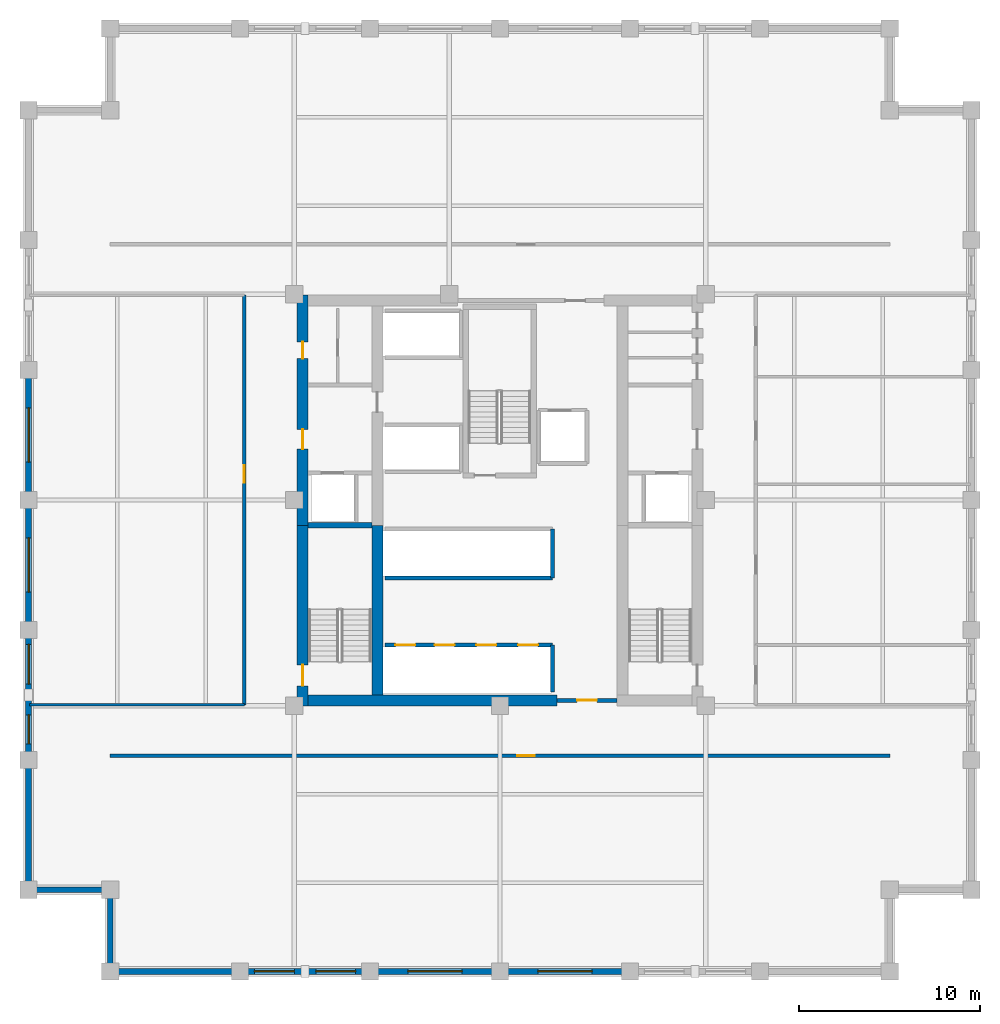
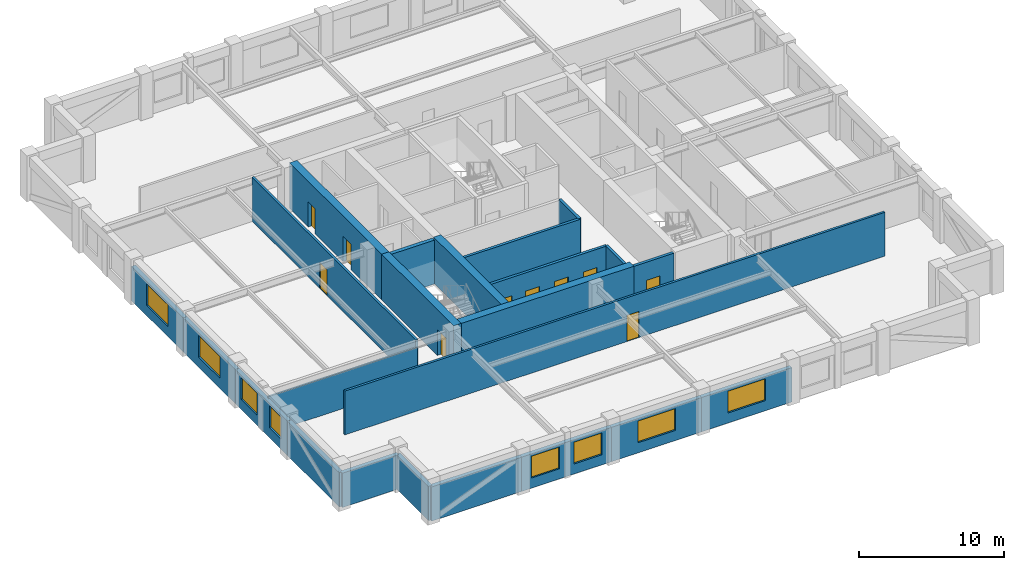
# One storey, part 2 of 6: 23 walls, 10 doors, 8 windows, 18 openings.
"""IFC4 building model written with IfcOpenShell, lengths in metres."""

from ifc_helpers import new_model, si_unit, direction, frame, frame_2d, origin, place, context, subcontext, project, spatial, rectangle, extrude, material, layer, layer_set, type_object, element, fill, save


model = new_model("IFC4")

# Units and contexts
model_context = context("Model", 3, precision=1e-05, world=origin(), true_north=direction((0.0, 1.0)))
body_context = subcontext(model_context, "Body", "Model", "MODEL_VIEW")
ifc_project = project(units=[si_unit("LENGTHUNIT", "METRE"), si_unit("AREAUNIT", "SQUARE_METRE"), si_unit("VOLUMEUNIT", "CUBIC_METRE"), si_unit("PLANEANGLEUNIT", "RADIAN"), si_unit("MASSUNIT", "GRAM", prefix="KILO")], contexts=[model_context])

# Site, building, storey
site_placement = place(None, origin())
site = spatial("IfcSite", under=ifc_project, at=site_placement, CompositionType="ELEMENT")
building_placement = place(site_placement, origin())
building = spatial("IfcBuilding", under=site, at=building_placement, Name="Nhamokura Convention Tower", CompositionType="ELEMENT")
storey_placement = place(building_placement, frame((0.0, 0.0, 152.949951171875)))
storey = spatial("IfcBuildingStorey", under=building, at=storey_placement, Name="L37", CompositionType="ELEMENT", Elevation=152.949951171875)

# Wall
ifc_material_1 = material(Name="Bronze-pigmented precast concrete C45/55", Category="concrete")
ifc_layer_1 = layer(ifc_material_1, 0.320068359375)
ifc_layer_set_1 = layer_set([ifc_layer_1], Name="BronzePrecastSpandrel_320")
wall_type_1 = type_object("IfcWallType", Name="BronzePrecastSpandrel_320", PredefinedType="USERDEFINED", material=ifc_layer_set_1)
wall_1_placement = place(storey_placement, frame((17.666748046875, 6.0, 0.0), z_axis=(0.0, 0.0, 1.0), x_axis=(-1.0, 0.0, 0.0)))
element("IfcWall", 1, at=wall_1_placement, inside=storey, type_object=wall_type_1, Name="L37 Braced-Bay Precast Wall SOUTH 0", ObjectType="SPANDREL_WALL", PredefinedType="USERDEFINED", context=body_context, shape_type="SweptSolid", body=[
    extrude(rectangle(XDim=7.166748046875, YDim=0.320068359375, at=frame_2d((3.58349609375, 0.0))), origin(), (0.0, 0.0, 1.0), 2.885009765625),
])

# Wall, openings, windows
wall_2_placement = place(storey_placement, frame((24.833251953125, 6.0, 0.0), z_axis=(0.0, 0.0, 1.0), x_axis=(-1.0, 0.0, 0.0)))
wall_2 = element("IfcWall", 2, at=wall_2_placement, inside=storey, type_object=wall_type_1, Name="L37 Masonry-Frame Wall SOUTH 1", ObjectType="SPANDREL_WALL", PredefinedType="USERDEFINED", context=body_context, shape_type="SweptSolid", body=[
    extrude(rectangle(XDim=7.16650390625, YDim=0.320068359375, at=frame_2d((3.583251953125, 0.0))), origin(), (0.0, 0.0, 1.0), 2.885009765625),
])
opening_1_placement = place(wall_2_placement, frame((0.791748046875, 0.0, 0.85009765625)))
opening_1 = element("IfcOpeningElement", 3, at=opening_1_placement, cuts=wall_2, Name="Opening W-06", PredefinedType="OPENING", context=body_context, shape_type="SweptSolid", body=[
    extrude(rectangle(XDim=2.199951171875, YDim=1.8349609375, at=frame_2d((1.10009765625, 0.91748046875))), frame((0.0, 0.169921875, 0.0), z_axis=(0.0, -1.0, 0.0), x_axis=(1.0, 0.0, 0.0)), (0.0, 0.0, 1.0), 0.340087890625),
])
opening_2_placement = place(wall_2_placement, frame((4.175048828125, 0.0, 0.85009765625)))
opening_2 = element("IfcOpeningElement", 4, at=opening_2_placement, cuts=wall_2, Name="Opening W-06", PredefinedType="OPENING", context=body_context, shape_type="SweptSolid", body=[
    extrude(rectangle(XDim=2.199951171875, YDim=1.8349609375, at=frame_2d((1.10009765625, 0.91748046875))), frame((0.0, 0.169921875, 0.0), z_axis=(0.0, -1.0, 0.0), x_axis=(1.0, 0.0, 0.0)), (0.0, 0.0, 1.0), 0.340087890625),
])
ifc_material_2 = material(Name="Solar-control bronze low-E double glass", Category="glass")
window_type_1 = type_object("IfcWindowType", Name="OfficeModuleWindow_Z2_2200", PartitioningType="SINGLE_PANEL", PredefinedType="WINDOW", material=ifc_material_2)
window_1_placement = place(opening_1_placement, origin())
window_1 = element("IfcWindow", 5, at=window_1_placement, inside=storey, type_object=window_type_1, Name="L37 Facade Window SOUTH 1-1", OverallHeight=1.8349609375, OverallWidth=2.199951171875, PartitioningType="SINGLE_PANEL", PredefinedType="WINDOW", context=body_context, shape_type="SweptSolid", body=[
    extrude(rectangle(XDim=2.199951171875, YDim=1.8349609375, at=frame_2d((1.10009765625, 0.91748046875))), frame((0.0, 0.030029296875, 0.0), z_axis=(0.0, -1.0, 0.0), x_axis=(1.0, 0.0, 0.0)), (0.0, 0.0, 1.0), 0.06005859375),
])
fill(opening_1, window_1)
window_2_placement = place(opening_2_placement, origin())
window_2 = element("IfcWindow", 6, at=window_2_placement, inside=storey, type_object=window_type_1, Name="L37 Facade Window SOUTH 1-2", OverallHeight=1.8349609375, OverallWidth=2.199951171875, PartitioningType="SINGLE_PANEL", PredefinedType="WINDOW", context=body_context, shape_type="SweptSolid", body=[
    extrude(rectangle(XDim=2.199951171875, YDim=1.8349609375, at=frame_2d((1.10009765625, 0.91748046875))), frame((0.0, 0.030029296875, 0.0), z_axis=(0.0, -1.0, 0.0), x_axis=(1.0, 0.0, 0.0)), (0.0, 0.0, 1.0), 0.06005859375),
])
fill(opening_2, window_2)

# Wall, opening, window
wall_3_placement = place(storey_placement, frame((32.0, 6.0, 0.0), z_axis=(0.0, 0.0, 1.0), x_axis=(-1.0, 0.0, 0.0)))
wall_3 = element("IfcWall", 7, at=wall_3_placement, inside=storey, type_object=wall_type_1, Name="L37 Masonry-Frame Wall SOUTH 2", ObjectType="SPANDREL_WALL", PredefinedType="USERDEFINED", context=body_context, shape_type="SweptSolid", body=[
    extrude(rectangle(XDim=7.166748046875, YDim=0.320068359375, at=frame_2d((3.58349609375, 0.0))), origin(), (0.0, 0.0, 1.0), 2.885009765625),
])
opening_3_placement = place(wall_3_placement, frame((2.083251953125, 0.0, 0.85009765625)))
opening_3 = element("IfcOpeningElement", 8, at=opening_3_placement, cuts=wall_3, Name="Opening W-05", PredefinedType="OPENING", context=body_context, shape_type="SweptSolid", body=[
    extrude(rectangle(XDim=3.0, YDim=1.8349609375, at=frame_2d((1.5, 0.91748046875))), frame((0.0, 0.169921875, 0.0), z_axis=(0.0, -1.0, 0.0), x_axis=(1.0, 0.0, 0.0)), (0.0, 0.0, 1.0), 0.340087890625),
])
ifc_material_3 = material(Name="Solar-control bronze low-E double glass", Category="glass")
window_type_2 = type_object("IfcWindowType", Name="OfficeModuleWindow_Z2_3000", PartitioningType="DOUBLE_PANEL_VERTICAL", PredefinedType="WINDOW", material=ifc_material_3)
window_3_placement = place(opening_3_placement, origin())
window_3 = element("IfcWindow", 9, at=window_3_placement, inside=storey, type_object=window_type_2, Name="L37 Facade Window SOUTH 2", OverallHeight=1.8349609375, OverallWidth=3.0, PartitioningType="SINGLE_PANEL", PredefinedType="WINDOW", context=body_context, shape_type="SweptSolid", body=[
    extrude(rectangle(XDim=3.0, YDim=1.8349609375, at=frame_2d((1.5, 0.91748046875))), frame((0.0, 0.030029296875, 0.0), z_axis=(0.0, -1.0, 0.0), x_axis=(1.0, 0.0, 0.0)), (0.0, 0.0, 1.0), 0.06005859375),
])
fill(opening_3, window_3)

wall_4_placement = place(storey_placement, frame((39.166748046875, 6.0, 0.0), z_axis=(0.0, 0.0, 1.0), x_axis=(-1.0, 0.0, 0.0)))
wall_4 = element("IfcWall", 10, at=wall_4_placement, inside=storey, type_object=wall_type_1, Name="L37 Masonry-Frame Wall SOUTH 3", ObjectType="SPANDREL_WALL", PredefinedType="USERDEFINED", context=body_context, shape_type="SweptSolid", body=[
    extrude(rectangle(XDim=7.166748046875, YDim=0.320068359375, at=frame_2d((3.58349609375, 0.0))), origin(), (0.0, 0.0, 1.0), 2.885009765625),
])
opening_4_placement = place(wall_4_placement, frame((2.083251953125, 0.0, 0.85009765625)))
opening_4 = element("IfcOpeningElement", 11, at=opening_4_placement, cuts=wall_4, Name="Opening W-05", PredefinedType="OPENING", context=body_context, shape_type="SweptSolid", body=[
    extrude(rectangle(XDim=3.0, YDim=1.8349609375, at=frame_2d((1.5, 0.91748046875))), frame((0.0, 0.169921875, 0.0), z_axis=(0.0, -1.0, 0.0), x_axis=(1.0, 0.0, 0.0)), (0.0, 0.0, 1.0), 0.340087890625),
])
window_4_placement = place(opening_4_placement, origin())
window_4 = element("IfcWindow", 12, at=window_4_placement, inside=storey, type_object=window_type_2, Name="L37 Facade Window SOUTH 3", OverallHeight=1.8349609375, OverallWidth=3.0, PartitioningType="SINGLE_PANEL", PredefinedType="WINDOW", context=body_context, shape_type="SweptSolid", body=[
    extrude(rectangle(XDim=3.0, YDim=1.8349609375, at=frame_2d((1.5, 0.91748046875))), frame((0.0, 0.030029296875, 0.0), z_axis=(0.0, -1.0, 0.0), x_axis=(1.0, 0.0, 0.0)), (0.0, 0.0, 1.0), 0.06005859375),
])
fill(opening_4, window_4)

# Wall
wall_5_placement = place(storey_placement, frame((6.0, 10.5, 0.0), z_axis=(0.0, 0.0, 1.0), x_axis=(0.0, 1.0, 0.0)))
element("IfcWall", 13, at=wall_5_placement, inside=storey, type_object=wall_type_1, Name="L37 Braced-Bay Precast Wall WEST 0", ObjectType="SPANDREL_WALL", PredefinedType="USERDEFINED", context=body_context, shape_type="SweptSolid", body=[
    extrude(rectangle(XDim=7.166748046875, YDim=0.320068359375, at=frame_2d((3.58349609375, 0.0))), origin(), (0.0, 0.0, 1.0), 2.885009765625),
])

# Wall, openings, windows
wall_6_placement = place(storey_placement, frame((6.0, 17.666748046875, 0.0), z_axis=(0.0, 0.0, 1.0), x_axis=(0.0, 1.0, 0.0)))
wall_6 = element("IfcWall", 14, at=wall_6_placement, inside=storey, type_object=wall_type_1, Name="L37 Masonry-Frame Wall WEST 1", ObjectType="SPANDREL_WALL", PredefinedType="USERDEFINED", context=body_context, shape_type="SweptSolid", body=[
    extrude(rectangle(XDim=7.16650390625, YDim=0.320068359375, at=frame_2d((3.583251953125, 0.0))), origin(), (0.0, 0.0, 1.0), 2.885009765625),
])
opening_5_placement = place(wall_6_placement, frame((0.879150390625, 0.0, 0.85009765625)))
opening_5 = element("IfcOpeningElement", 15, at=opening_5_placement, cuts=wall_6, Name="Opening W-11", PredefinedType="OPENING", context=body_context, shape_type="SweptSolid", body=[
    extrude(rectangle(XDim=1.60009765625, YDim=1.8349609375, at=frame_2d((0.800048828125, 0.91748046875))), frame((0.0, 0.169921875, 0.0), z_axis=(0.0, -1.0, 0.0), x_axis=(1.0, 0.0, 0.0)), (0.0, 0.0, 1.0), 0.340087890625),
])
opening_6_placement = place(wall_6_placement, frame((4.175048828125, 0.0, 0.85009765625)))
opening_6 = element("IfcOpeningElement", 16, at=opening_6_placement, cuts=wall_6, Name="Opening W-06", PredefinedType="OPENING", context=body_context, shape_type="SweptSolid", body=[
    extrude(rectangle(XDim=2.199951171875, YDim=1.8349609375, at=frame_2d((1.10009765625, 0.91748046875))), frame((0.0, 0.169921875, 0.0), z_axis=(0.0, -1.0, 0.0), x_axis=(1.0, 0.0, 0.0)), (0.0, 0.0, 1.0), 0.340087890625),
])
ifc_material_4 = material(Name="Solar-control bronze low-E double glass", Category="glass")
window_type_3 = type_object("IfcWindowType", Name="NotchCornerWindow_1600", PartitioningType="SINGLE_PANEL", PredefinedType="WINDOW", material=ifc_material_4)
window_5_placement = place(opening_5_placement, origin())
window_5 = element("IfcWindow", 17, at=window_5_placement, inside=storey, type_object=window_type_3, Name="L37 Facade Window WEST 1-1", OverallHeight=1.8349609375, OverallWidth=1.60009765625, PartitioningType="SINGLE_PANEL", PredefinedType="WINDOW", context=body_context, shape_type="SweptSolid", body=[
    extrude(rectangle(XDim=1.60009765625, YDim=1.8349609375, at=frame_2d((0.800048828125, 0.91748046875))), frame((0.0, 0.030029296875, 0.0), z_axis=(0.0, -1.0, 0.0), x_axis=(1.0, 0.0, 0.0)), (0.0, 0.0, 1.0), 0.06005859375),
])
fill(opening_5, window_5)
window_6_placement = place(opening_6_placement, origin())
window_6 = element("IfcWindow", 18, at=window_6_placement, inside=storey, type_object=window_type_1, Name="L37 Facade Window WEST 1-2", OverallHeight=1.8349609375, OverallWidth=2.199951171875, PartitioningType="SINGLE_PANEL", PredefinedType="WINDOW", context=body_context, shape_type="SweptSolid", body=[
    extrude(rectangle(XDim=2.199951171875, YDim=1.8349609375, at=frame_2d((1.10009765625, 0.91748046875))), frame((0.0, 0.030029296875, 0.0), z_axis=(0.0, -1.0, 0.0), x_axis=(1.0, 0.0, 0.0)), (0.0, 0.0, 1.0), 0.06005859375),
])
fill(opening_6, window_6)

# Wall, opening, window
wall_7_placement = place(storey_placement, frame((6.0, 24.833251953125, 0.0), z_axis=(0.0, 0.0, 1.0), x_axis=(0.0, 1.0, 0.0)))
wall_7 = element("IfcWall", 19, at=wall_7_placement, inside=storey, type_object=wall_type_1, Name="L37 Masonry-Frame Wall WEST 2", ObjectType="SPANDREL_WALL", PredefinedType="USERDEFINED", context=body_context, shape_type="SweptSolid", body=[
    extrude(rectangle(XDim=7.166748046875, YDim=0.320068359375, at=frame_2d((3.58349609375, 0.0))), origin(), (0.0, 0.0, 1.0), 2.885009765625),
])
opening_7_placement = place(wall_7_placement, frame((2.083251953125, 0.0, 0.85009765625)))
opening_7 = element("IfcOpeningElement", 20, at=opening_7_placement, cuts=wall_7, Name="Opening W-05", PredefinedType="OPENING", context=body_context, shape_type="SweptSolid", body=[
    extrude(rectangle(XDim=3.0, YDim=1.8349609375, at=frame_2d((1.5, 0.91748046875))), frame((0.0, 0.169921875, 0.0), z_axis=(0.0, -1.0, 0.0), x_axis=(1.0, 0.0, 0.0)), (0.0, 0.0, 1.0), 0.340087890625),
])
window_7_placement = place(opening_7_placement, origin())
window_7 = element("IfcWindow", 21, at=window_7_placement, inside=storey, type_object=window_type_2, Name="L37 Facade Window WEST 2", OverallHeight=1.8349609375, OverallWidth=3.0, PartitioningType="SINGLE_PANEL", PredefinedType="WINDOW", context=body_context, shape_type="SweptSolid", body=[
    extrude(rectangle(XDim=3.0, YDim=1.8349609375, at=frame_2d((1.5, 0.91748046875))), frame((0.0, 0.030029296875, 0.0), z_axis=(0.0, -1.0, 0.0), x_axis=(1.0, 0.0, 0.0)), (0.0, 0.0, 1.0), 0.06005859375),
])
fill(opening_7, window_7)

wall_8_placement = place(storey_placement, frame((6.0, 32.0, 0.0), z_axis=(0.0, 0.0, 1.0), x_axis=(0.0, 1.0, 0.0)))
wall_8 = element("IfcWall", 22, at=wall_8_placement, inside=storey, type_object=wall_type_1, Name="L37 Masonry-Frame Wall WEST 3", ObjectType="SPANDREL_WALL", PredefinedType="USERDEFINED", context=body_context, shape_type="SweptSolid", body=[
    extrude(rectangle(XDim=7.166748046875, YDim=0.320068359375, at=frame_2d((3.58349609375, 0.0))), origin(), (0.0, 0.0, 1.0), 2.885009765625),
])
opening_8_placement = place(wall_8_placement, frame((2.083251953125, 0.0, 0.85009765625)))
opening_8 = element("IfcOpeningElement", 23, at=opening_8_placement, cuts=wall_8, Name="Opening W-05", PredefinedType="OPENING", context=body_context, shape_type="SweptSolid", body=[
    extrude(rectangle(XDim=3.0, YDim=1.8349609375, at=frame_2d((1.5, 0.91748046875))), frame((0.0, 0.169921875, 0.0), z_axis=(0.0, -1.0, 0.0), x_axis=(1.0, 0.0, 0.0)), (0.0, 0.0, 1.0), 0.340087890625),
])
window_8_placement = place(opening_8_placement, origin())
window_8 = element("IfcWindow", 24, at=window_8_placement, inside=storey, type_object=window_type_2, Name="L37 Facade Window WEST 3", OverallHeight=1.8349609375, OverallWidth=3.0, PartitioningType="SINGLE_PANEL", PredefinedType="WINDOW", context=body_context, shape_type="SweptSolid", body=[
    extrude(rectangle(XDim=3.0, YDim=1.8349609375, at=frame_2d((1.5, 0.91748046875))), frame((0.0, 0.030029296875, 0.0), z_axis=(0.0, -1.0, 0.0), x_axis=(1.0, 0.0, 0.0)), (0.0, 0.0, 1.0), 0.06005859375),
])
fill(opening_8, window_8)

# Walls
for number, where, z_axis, x_axis, name in (
    (25, (10.5, 6.0, 0.0), (0.0, 0.0, 1.0), (0.0, 1.0, 0.0), "L37 Notched Corner Wall SW1"),
    (26, (10.5, 10.5, 0.0), (0.0, 0.0, 1.0), (-1.0, 0.0, 0.0), "L37 Notched Corner Wall SW2"),
):
    element("IfcWall", number, at=place(storey_placement, frame(where, z_axis=z_axis, x_axis=x_axis)), inside=storey, type_object=wall_type_1, Name=name, ObjectType="SPANDREL_WALL", PredefinedType="USERDEFINED", context=body_context, shape_type="SweptSolid", body=[
        extrude(rectangle(XDim=4.5, YDim=0.320068359375, at=frame_2d((2.25, 0.0))), origin(), (0.0, 0.0, 1.0), 2.885009765625),
    ])

# Wall, opening, door
ifc_material_5 = material(Name="Concrete C60/75", Category="concrete")
ifc_layer_2 = layer(ifc_material_5, 0.60009765625)
ifc_layer_set_2 = layer_set([ifc_layer_2], Name="CoreShearWall_600")
wall_type_2 = type_object("IfcWallType", Name="CoreShearWall_600", PredefinedType="SHEAR", material=ifc_layer_set_2)
wall_9_placement = place(storey_placement, frame((21.110107421875, 20.64990234375, 0.0), z_axis=(0.0, 0.0, 1.0), x_axis=(0.0, 1.0, 0.0)))
wall_9 = element("IfcWall", 27, at=wall_9_placement, inside=storey, type_object=wall_type_2, Name="L37 Core Shear Wall CW-WS", PredefinedType="SHEAR", context=body_context, shape_type="SweptSolid", body=[
    extrude(rectangle(XDim=9.9501953125, YDim=0.60009765625, at=frame_2d((4.97509765625, 0.0))), origin(), (0.0, 0.0, 1.0), 3.85009765625),
])
opening_9_placement = place(wall_9_placement, frame((1.10009765625, 0.0, 0.0)))
opening_9 = element("IfcOpeningElement", 28, at=opening_9_placement, cuts=wall_9, Name="Opening D-04", PredefinedType="OPENING", context=body_context, shape_type="SweptSolid", body=[
    extrude(rectangle(XDim=1.14990234375, YDim=2.14990234375, at=frame_2d((0.574951171875, 1.074951171875))), frame((0.0, 0.31005859375, 0.0), z_axis=(0.0, -1.0, 0.0), x_axis=(1.0, 0.0, 0.0)), (0.0, 0.0, 1.0), 0.6201171875),
])
ifc_material_6 = material(Name="Fire-rated steel door", Category="steel")
door_type_1 = type_object("IfcDoorType", Name="StairSmokeDoor_1150", OperationType="NOTDEFINED", PredefinedType="DOOR", material=ifc_material_6)
door_1_placement = place(opening_9_placement, origin())
door_1 = element("IfcDoor", 29, at=door_1_placement, inside=storey, type_object=door_type_1, Name="L37 Core Door INT-L37-D-ST01", OperationType="SINGLE_SWING_LEFT", OverallHeight=2.14990234375, OverallWidth=1.14990234375, PredefinedType="DOOR", context=body_context, shape_type="SweptSolid", body=[
    extrude(rectangle(XDim=1.14990234375, YDim=2.14990234375, at=frame_2d((0.574951171875, 1.074951171875))), frame((0.0, 0.02490234375, 0.0), z_axis=(0.0, -1.0, 0.0), x_axis=(1.0, 0.0, 0.0)), (0.0, 0.0, 1.0), 0.050048828125),
])
fill(opening_9, door_1)

# Wall, openings, doors
wall_10_placement = place(storey_placement, frame((21.110107421875, 30.60009765625, 0.0), z_axis=(0.0, 0.0, 1.0), x_axis=(0.0, 1.0, 0.0)))
wall_10 = element("IfcWall", 30, at=wall_10_placement, inside=storey, type_object=wall_type_2, Name="L37 Core Shear Wall CW-WN", PredefinedType="SHEAR", context=body_context, shape_type="SweptSolid", body=[
    extrude(rectangle(XDim=12.699951171875, YDim=0.60009765625, at=frame_2d((6.35009765625, 0.0))), origin(), (0.0, 0.0, 1.0), 3.85009765625),
])
opening_10_placement = place(wall_10_placement, frame((4.199951171875, 0.0, 0.0)))
opening_10 = element("IfcOpeningElement", 31, at=opening_10_placement, cuts=wall_10, Name="Opening D-05", PredefinedType="OPENING", context=body_context, shape_type="SweptSolid", body=[
    extrude(rectangle(XDim=1.10009765625, YDim=2.14990234375, at=frame_2d((0.550048828125, 1.074951171875))), frame((0.0, 0.31005859375, 0.0), z_axis=(0.0, -1.0, 0.0), x_axis=(1.0, 0.0, 0.0)), (0.0, 0.0, 1.0), 0.6201171875),
])
opening_11_placement = place(wall_10_placement, frame((9.199951171875, 0.0, 0.0)))
opening_11 = element("IfcOpeningElement", 32, at=opening_11_placement, cuts=wall_10, Name="Opening D-10", PredefinedType="OPENING", context=body_context, shape_type="SweptSolid", body=[
    extrude(rectangle(XDim=0.919921875, YDim=2.10009765625, at=frame_2d((0.4599609375, 1.050048828125))), frame((0.0, 0.31005859375, 0.0), z_axis=(0.0, -1.0, 0.0), x_axis=(1.0, 0.0, 0.0)), (0.0, 0.0, 1.0), 0.6201171875),
])
ifc_material_7 = material(Name="Solid oak hardwood", Category="wood")
door_type_2 = type_object("IfcDoorType", Name="AccessibleWCDoor_920", OperationType="NOTDEFINED", PredefinedType="DOOR", material=ifc_material_7)
door_2_placement = place(opening_11_placement, origin())
door_2 = element("IfcDoor", 33, at=door_2_placement, inside=storey, type_object=door_type_2, Name="L37 Core Door INT-L37-D-AWCW", OperationType="SINGLE_SWING_RIGHT", OverallHeight=2.10009765625, OverallWidth=0.919921875, PredefinedType="DOOR", context=body_context, shape_type="SweptSolid", body=[
    extrude(rectangle(XDim=0.919921875, YDim=2.10009765625, at=frame_2d((0.4599609375, 1.050048828125))), frame((0.0, 0.02490234375, 0.0), z_axis=(0.0, -1.0, 0.0), x_axis=(1.0, 0.0, 0.0)), (0.0, 0.0, 1.0), 0.050048828125),
])
fill(opening_11, door_2)
ifc_material_8 = material(Name="Fire-rated steel door", Category="steel")
door_type_3 = type_object("IfcDoorType", Name="FireLobbyDoor_1100", OperationType="NOTDEFINED", PredefinedType="DOOR", material=ifc_material_8)
door_3_placement = place(opening_10_placement, origin())
door_3 = element("IfcDoor", 34, at=door_3_placement, inside=storey, type_object=door_type_3, Name="L37 Core Door INT-L37-D-FFLW", OperationType="SINGLE_SWING_RIGHT", OverallHeight=2.14990234375, OverallWidth=1.10009765625, PredefinedType="DOOR", context=body_context, shape_type="SweptSolid", body=[
    extrude(rectangle(XDim=1.10009765625, YDim=2.14990234375, at=frame_2d((0.550048828125, 1.074951171875))), frame((0.0, 0.02490234375, 0.0), z_axis=(0.0, -1.0, 0.0), x_axis=(1.0, 0.0, 0.0)), (0.0, 0.0, 1.0), 0.050048828125),
])
fill(opening_10, door_3)

# Walls
wall_11_placement = place(storey_placement, frame((21.409912109375, 20.949951171875, 0.0), z_axis=(0.0, 0.0, 1.0), x_axis=(1.0, 0.0, 0.0)))
element("IfcWall", 35, at=wall_11_placement, inside=storey, type_object=wall_type_2, Name="L37 Core Shear Wall CW-S1", PredefinedType="SHEAR", context=body_context, shape_type="SweptSolid", body=[
    extrude(rectangle(XDim=13.739990234375, YDim=0.60009765625, at=frame_2d((6.8701171875, 0.0))), origin(), (0.0, 0.0, 1.0), 3.85009765625),
])
wall_12_placement = place(storey_placement, frame((25.239990234375, 21.25, 0.0), z_axis=(0.0, 0.0, 1.0), x_axis=(0.0, 1.0, 0.0)))
element("IfcWall", 36, at=wall_12_placement, inside=storey, type_object=wall_type_2, Name="L37 Core Shear Wall CW-IWS", PredefinedType="SHEAR", context=body_context, shape_type="SweptSolid", body=[
    extrude(rectangle(XDim=9.35009765625, YDim=0.60009765625, at=frame_2d((4.675048828125, 0.0))), origin(), (0.0, 0.0, 1.0), 3.85009765625),
])

# Wall, opening, door
ifc_material_9 = material(Name="Fire-rated gypsum and masonry partition", Category="masonry")
ifc_layer_3 = layer(ifc_material_9, 0.179931640625)
ifc_layer_set_3 = layer_set([ifc_layer_3], Name="CorridorRatedWall_180")
wall_type_3 = type_object("IfcWallType", Name="CorridorRatedWall_180", PredefinedType="STANDARD", material=ifc_layer_set_3)
wall_13_placement = place(storey_placement, frame((10.5, 17.89990234375, 0.0), z_axis=(0.0, 0.0, 1.0), x_axis=(1.0, 0.0, 0.0)))
wall_13 = element("IfcWall", 37, at=wall_13_placement, inside=storey, type_object=wall_type_3, Name="L37 Wall INT-L37-CW-S00", PredefinedType="STANDARD", context=body_context, shape_type="SweptSolid", body=[
    extrude(rectangle(XDim=43.0, YDim=0.179931640625, at=frame_2d((21.5, 0.0))), origin(), (0.0, 0.0, 1.0), 3.68505859375),
])
opening_12_placement = place(wall_13_placement, frame((22.449951171875, 0.0, 0.0)))
opening_12 = element("IfcOpeningElement", 38, at=opening_12_placement, cuts=wall_13, Name="Opening D-08", PredefinedType="OPENING", context=body_context, shape_type="SweptSolid", body=[
    extrude(rectangle(XDim=0.97998046875, YDim=2.199951171875, at=frame_2d((0.489990234375, 1.10009765625))), frame((0.0, 0.099853515625, 0.0), z_axis=(0.0, -1.0, 0.0), x_axis=(1.0, 0.0, 0.0)), (0.0, 0.0, 1.0), 0.199951171875),
])
ifc_material_10 = material(Name="Solid oak hardwood", Category="wood")
door_type_4 = type_object("IfcDoorType", Name="OfficeEntryDoor_980", OperationType="NOTDEFINED", PredefinedType="DOOR", material=ifc_material_10)
door_4_placement = place(opening_12_placement, origin())
door_4 = element("IfcDoor", 39, at=door_4_placement, inside=storey, type_object=door_type_4, Name="L37 Open Plan Office S01 Door", OperationType="SINGLE_SWING_LEFT", OverallHeight=2.199951171875, OverallWidth=0.97998046875, PredefinedType="DOOR", context=body_context, shape_type="SweptSolid", body=[
    extrude(rectangle(XDim=0.97998046875, YDim=2.199951171875, at=frame_2d((0.489990234375, 1.10009765625))), frame((0.0, 0.02490234375, 0.0), z_axis=(0.0, -1.0, 0.0), x_axis=(1.0, 0.0, 0.0)), (0.0, 0.0, 1.0), 0.050048828125),
])
fill(opening_12, door_4)

wall_14_placement = place(storey_placement, frame((17.89990234375, 20.699951171875, 0.0), z_axis=(0.0, 0.0, 1.0), x_axis=(0.0, 1.0, 0.0)))
wall_14 = element("IfcWall", 40, at=wall_14_placement, inside=storey, type_object=wall_type_3, Name="L37 Wall INT-L37-CW-W00", PredefinedType="STANDARD", context=body_context, shape_type="SweptSolid", body=[
    extrude(rectangle(XDim=22.60009765625, YDim=0.179931640625, at=frame_2d((11.300048828125, 0.0))), origin(), (0.0, 0.0, 1.0), 3.68505859375),
])
opening_13_placement = place(wall_14_placement, frame((12.25, 0.0, 0.0)))
opening_13 = element("IfcOpeningElement", 41, at=opening_13_placement, cuts=wall_14, Name="Opening D-08", PredefinedType="OPENING", context=body_context, shape_type="SweptSolid", body=[
    extrude(rectangle(XDim=0.97998046875, YDim=2.199951171875, at=frame_2d((0.489990234375, 1.10009765625))), frame((0.0, 0.099853515625, 0.0), z_axis=(0.0, -1.0, 0.0), x_axis=(1.0, 0.0, 0.0)), (0.0, 0.0, 1.0), 0.199951171875),
])
door_5_placement = place(opening_13_placement, origin())
door_5 = element("IfcDoor", 42, at=door_5_placement, inside=storey, type_object=door_type_4, Name="L37 Staff Lounge W01 Door", OperationType="SINGLE_SWING_LEFT", OverallHeight=2.199951171875, OverallWidth=0.97998046875, PredefinedType="DOOR", context=body_context, shape_type="SweptSolid", body=[
    extrude(rectangle(XDim=0.97998046875, YDim=2.199951171875, at=frame_2d((0.489990234375, 1.10009765625))), frame((0.0, 0.02490234375, 0.0), z_axis=(0.0, -1.0, 0.0), x_axis=(1.0, 0.0, 0.0)), (0.0, 0.0, 1.0), 0.050048828125),
])
fill(opening_13, door_5)

ifc_material_11 = material(Name="Autoclaved concrete blockwork", Category="masonry")
ifc_layer_4 = layer(ifc_material_11, 0.219970703125)
ifc_layer_set_4 = layer_set([ifc_layer_4], Name="FireLobbyWall_220")
wall_type_4 = type_object("IfcWallType", Name="FireLobbyWall_220", PredefinedType="STANDARD", material=ifc_layer_set_4)
wall_15_placement = place(storey_placement, frame((35.14990234375, 20.949951171875, 0.0), z_axis=(0.0, 0.0, 1.0), x_axis=(1.0, 0.0, 0.0)))
wall_15 = element("IfcWall", 43, at=wall_15_placement, inside=storey, type_object=wall_type_4, Name="L37 Wall INT-L37-SPORT-S", PredefinedType="STANDARD", context=body_context, shape_type="SweptSolid", body=[
    extrude(rectangle(XDim=3.300048828125, YDim=0.219970703125, at=frame_2d((1.64990234375, 0.0))), origin(), (0.0, 0.0, 1.0), 3.68505859375),
])
opening_14_placement = place(wall_15_placement, frame((1.10009765625, 0.0, 0.0)))
opening_14 = element("IfcOpeningElement", 44, at=opening_14_placement, cuts=wall_15, Name="Opening D-05", PredefinedType="OPENING", context=body_context, shape_type="SweptSolid", body=[
    extrude(rectangle(XDim=1.10009765625, YDim=2.14990234375, at=frame_2d((0.550048828125, 1.074951171875))), frame((0.0, 0.119873046875, 0.0), z_axis=(0.0, -1.0, 0.0), x_axis=(1.0, 0.0, 0.0)), (0.0, 0.0, 1.0), 0.239990234375),
])
door_6_placement = place(opening_14_placement, origin())
door_6 = element("IfcDoor", 45, at=door_6_placement, inside=storey, type_object=door_type_3, Name="L37 South Core Lobby Portal Door", OperationType="SINGLE_SWING_LEFT", OverallHeight=2.14990234375, OverallWidth=1.10009765625, PredefinedType="DOOR", context=body_context, shape_type="SweptSolid", body=[
    extrude(rectangle(XDim=1.10009765625, YDim=2.14990234375, at=frame_2d((0.550048828125, 1.074951171875))), frame((0.0, 0.02490234375, 0.0), z_axis=(0.0, -1.0, 0.0), x_axis=(1.0, 0.0, 0.0)), (0.0, 0.0, 1.0), 0.050048828125),
])
fill(opening_14, door_6)

# Wall, openings, doors
wall_16_placement = place(storey_placement, frame((25.64990234375, 24.0, 0.0), z_axis=(0.0, 0.0, 1.0), x_axis=(1.0, 0.0, 0.0)))
wall_16 = element("IfcWall", 46, at=wall_16_placement, inside=storey, type_object=wall_type_4, Name="L37 Wall INT-L37-B1N", PredefinedType="STANDARD", context=body_context, shape_type="SweptSolid", body=[
    extrude(rectangle(XDim=9.25, YDim=0.219970703125, at=frame_2d((4.625, 0.0))), origin(), (0.0, 0.0, 1.0), 3.68505859375),
])
opening_15_placement = place(wall_16_placement, frame((0.580078125, 0.0, 0.0)))
opening_15 = element("IfcOpeningElement", 47, at=opening_15_placement, cuts=wall_16, Name="Opening LD-01", PredefinedType="OPENING", context=body_context, shape_type="SweptSolid", body=[
    extrude(rectangle(XDim=1.10009765625, YDim=2.14990234375, at=frame_2d((0.550048828125, 1.074951171875))), frame((0.0, 0.119873046875, 0.0), z_axis=(0.0, -1.0, 0.0), x_axis=(1.0, 0.0, 0.0)), (0.0, 0.0, 1.0), 0.239990234375),
])
opening_16_placement = place(wall_16_placement, frame((2.75, 0.0, 0.0)))
opening_16 = element("IfcOpeningElement", 48, at=opening_16_placement, cuts=wall_16, Name="Opening LD-01", PredefinedType="OPENING", context=body_context, shape_type="SweptSolid", body=[
    extrude(rectangle(XDim=1.10009765625, YDim=2.14990234375, at=frame_2d((0.550048828125, 1.074951171875))), frame((0.0, 0.119873046875, 0.0), z_axis=(0.0, -1.0, 0.0), x_axis=(1.0, 0.0, 0.0)), (0.0, 0.0, 1.0), 0.239990234375),
])
opening_17_placement = place(wall_16_placement, frame((5.050048828125, 0.0, 0.0)))
opening_17 = element("IfcOpeningElement", 49, at=opening_17_placement, cuts=wall_16, Name="Opening LD-01", PredefinedType="OPENING", context=body_context, shape_type="SweptSolid", body=[
    extrude(rectangle(XDim=1.10009765625, YDim=2.14990234375, at=frame_2d((0.550048828125, 1.074951171875))), frame((0.0, 0.119873046875, 0.0), z_axis=(0.0, -1.0, 0.0), x_axis=(1.0, 0.0, 0.0)), (0.0, 0.0, 1.0), 0.239990234375),
])
opening_18_placement = place(wall_16_placement, frame((7.35009765625, 0.0, 0.0)))
opening_18 = element("IfcOpeningElement", 50, at=opening_18_placement, cuts=wall_16, Name="Opening LD-01", PredefinedType="OPENING", context=body_context, shape_type="SweptSolid", body=[
    extrude(rectangle(XDim=1.10009765625, YDim=2.14990234375, at=frame_2d((0.550048828125, 1.074951171875))), frame((0.0, 0.119873046875, 0.0), z_axis=(0.0, -1.0, 0.0), x_axis=(1.0, 0.0, 0.0)), (0.0, 0.0, 1.0), 0.239990234375),
])
ifc_material_12 = material(Name="Anodised bronze stainless steel", Category="steel")
door_type_5 = type_object("IfcDoorType", Name="LiftLandingDoor_Passenger", OperationType="DOUBLE_DOOR_SLIDING", PredefinedType="DOOR", material=ifc_material_12)
door_7_placement = place(opening_15_placement, origin())
door_7 = element("IfcDoor", 51, at=door_7_placement, inside=storey, type_object=door_type_5, Name="L37 Lift LP-01 Landing Door", OperationType="DOUBLE_DOOR_SLIDING", OverallHeight=2.14990234375, OverallWidth=1.10009765625, PredefinedType="DOOR", context=body_context, shape_type="SweptSolid", body=[
    extrude(rectangle(XDim=1.10009765625, YDim=2.14990234375, at=frame_2d((0.550048828125, 1.074951171875))), frame((0.0, 0.02490234375, 0.0), z_axis=(0.0, -1.0, 0.0), x_axis=(1.0, 0.0, 0.0)), (0.0, 0.0, 1.0), 0.050048828125),
])
fill(opening_15, door_7)
door_8_placement = place(opening_16_placement, origin())
door_8 = element("IfcDoor", 52, at=door_8_placement, inside=storey, type_object=door_type_5, Name="L37 Lift LP-02 Landing Door", OperationType="DOUBLE_DOOR_SLIDING", OverallHeight=2.14990234375, OverallWidth=1.10009765625, PredefinedType="DOOR", context=body_context, shape_type="SweptSolid", body=[
    extrude(rectangle(XDim=1.10009765625, YDim=2.14990234375, at=frame_2d((0.550048828125, 1.074951171875))), frame((0.0, 0.02490234375, 0.0), z_axis=(0.0, -1.0, 0.0), x_axis=(1.0, 0.0, 0.0)), (0.0, 0.0, 1.0), 0.050048828125),
])
fill(opening_16, door_8)
door_9_placement = place(opening_17_placement, origin())
door_9 = element("IfcDoor", 53, at=door_9_placement, inside=storey, type_object=door_type_5, Name="L37 Lift LP-03 Landing Door", OperationType="DOUBLE_DOOR_SLIDING", OverallHeight=2.14990234375, OverallWidth=1.10009765625, PredefinedType="DOOR", context=body_context, shape_type="SweptSolid", body=[
    extrude(rectangle(XDim=1.10009765625, YDim=2.14990234375, at=frame_2d((0.550048828125, 1.074951171875))), frame((0.0, 0.02490234375, 0.0), z_axis=(0.0, -1.0, 0.0), x_axis=(1.0, 0.0, 0.0)), (0.0, 0.0, 1.0), 0.050048828125),
])
fill(opening_17, door_9)
door_10_placement = place(opening_18_placement, origin())
door_10 = element("IfcDoor", 54, at=door_10_placement, inside=storey, type_object=door_type_5, Name="L37 Lift LP-04 Landing Door", OperationType="DOUBLE_DOOR_SLIDING", OverallHeight=2.14990234375, OverallWidth=1.10009765625, PredefinedType="DOOR", context=body_context, shape_type="SweptSolid", body=[
    extrude(rectangle(XDim=1.10009765625, YDim=2.14990234375, at=frame_2d((0.550048828125, 1.074951171875))), frame((0.0, 0.02490234375, 0.0), z_axis=(0.0, -1.0, 0.0), x_axis=(1.0, 0.0, 0.0)), (0.0, 0.0, 1.0), 0.050048828125),
])
fill(opening_18, door_10)

# Walls
wall_17_placement = place(storey_placement, frame((34.89990234375, 21.39990234375, 0.0), z_axis=(0.0, 0.0, 1.0), x_axis=(0.0, 1.0, 0.0)))
element("IfcWall", 55, at=wall_17_placement, inside=storey, type_object=wall_type_4, Name="L37 Wall INT-L37-B1E", PredefinedType="STANDARD", context=body_context, shape_type="SweptSolid", body=[
    extrude(rectangle(XDim=2.60009765625, YDim=0.219970703125, at=frame_2d((1.300048828125, 0.0))), origin(), (0.0, 0.0, 1.0), 3.68505859375),
])
wall_18_placement = place(storey_placement, frame((25.64990234375, 27.699951171875, 0.0), z_axis=(0.0, 0.0, 1.0), x_axis=(1.0, 0.0, 0.0)))
element("IfcWall", 56, at=wall_18_placement, inside=storey, type_object=wall_type_4, Name="L37 Wall INT-L37-B2S", PredefinedType="STANDARD", context=body_context, shape_type="SweptSolid", body=[
    extrude(rectangle(XDim=9.25, YDim=0.219970703125, at=frame_2d((4.625, 0.0))), origin(), (0.0, 0.0, 1.0), 3.68505859375),
])
wall_19_placement = place(storey_placement, frame((34.89990234375, 27.699951171875, 0.0), z_axis=(0.0, 0.0, 1.0), x_axis=(0.0, 1.0, 0.0)))
element("IfcWall", 57, at=wall_19_placement, inside=storey, type_object=wall_type_4, Name="L37 Wall INT-L37-B2E", PredefinedType="STANDARD", context=body_context, shape_type="SweptSolid", body=[
    extrude(rectangle(XDim=2.699951171875, YDim=0.219970703125, at=frame_2d((1.35009765625, 0.0))), origin(), (0.0, 0.0, 1.0), 3.68505859375),
])
ifc_material_13 = material(Name="Acoustic gypsum stud partition", Category="masonry")
ifc_layer_5 = layer(ifc_material_13, 0.14990234375)
ifc_layer_set_5 = layer_set([ifc_layer_5], Name="InteriorPartition_150")
wall_type_5 = type_object("IfcWallType", Name="InteriorPartition_150", PredefinedType="STANDARD", material=ifc_layer_set_5)
wall_20_placement = place(storey_placement, frame((6.06005859375, 20.699951171875, 0.0), z_axis=(0.0, 0.0, 1.0), x_axis=(1.0, 0.0, 0.0)))
element("IfcWall", 58, at=wall_20_placement, inside=storey, type_object=wall_type_5, Name="L37 Wall INT-L37-RWB-W", PredefinedType="STANDARD", context=body_context, shape_type="SweptSolid", body=[
    extrude(rectangle(XDim=11.83984375, YDim=0.14990234375, at=frame_2d((5.919921875, 0.0))), origin(), (0.0, 0.0, 1.0), 3.06494140625),
])
ifc_material_14 = material(Name="Concrete C50/60", Category="concrete")
ifc_layer_6 = layer(ifc_material_14, 0.300048828125)
ifc_layer_set_6 = layer_set([ifc_layer_6], Name="ShaftEnclosureWall_300")
wall_type_6 = type_object("IfcWallType", Name="ShaftEnclosureWall_300", PredefinedType="SHEAR", material=ifc_layer_set_6)
wall_21_placement = place(storey_placement, frame((21.409912109375, 30.60009765625, 0.0), z_axis=(0.0, 0.0, 1.0), x_axis=(1.0, 0.0, 0.0)))
element("IfcWall", 59, at=wall_21_placement, inside=storey, type_object=wall_type_6, Name="L37 Wall INT-L37-ST01-N", PredefinedType="SHEAR", context=body_context, shape_type="SweptSolid", body=[
    extrude(rectangle(XDim=3.530029296875, YDim=0.300048828125, at=frame_2d((1.76513671875, 0.0))), origin(), (0.0, 0.0, 1.0), 3.68505859375),
])

save(model, "model.ifc")
